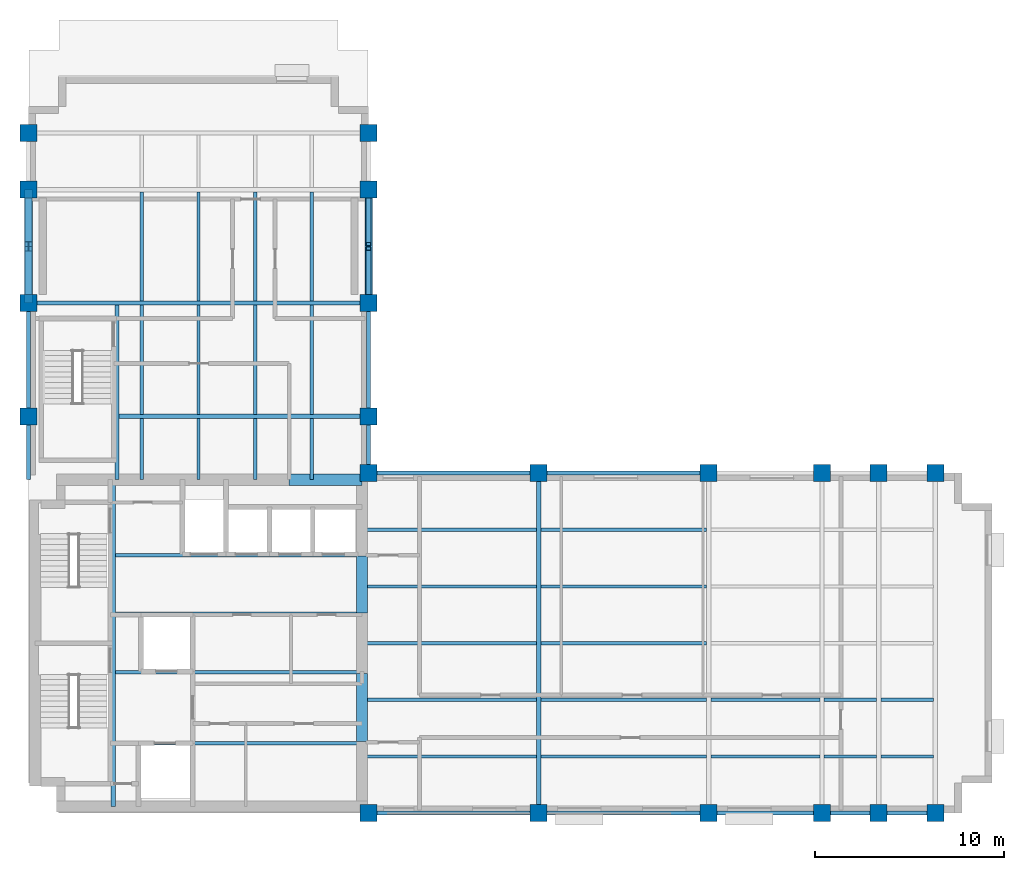
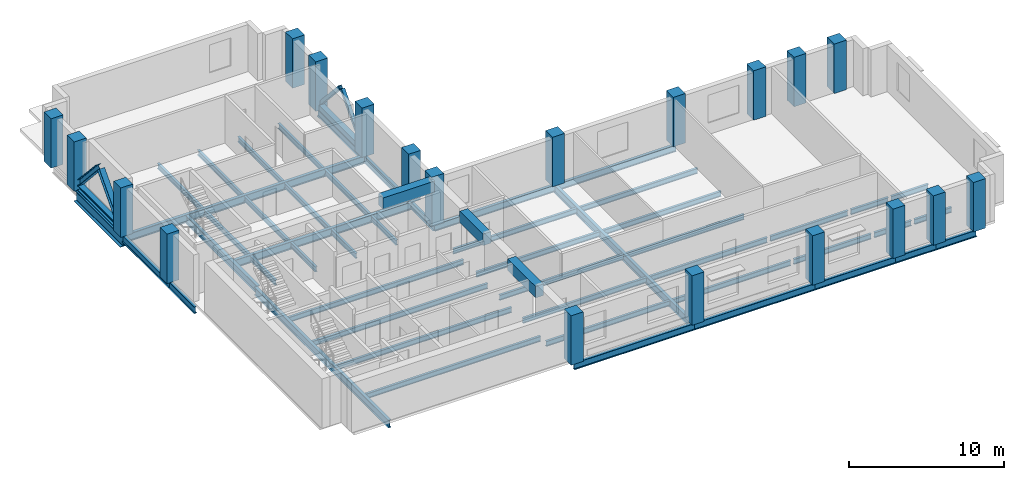
# One storey, part 1 of 6: 53 beams, 20 columns, 6 members.
"""IFC4 building model written with IfcOpenShell, lengths in metres."""

from ifc_helpers import new_model, si_unit, direction, frame, origin, origin_2d, place, context, subcontext, project, spatial, rectangle, hollow_rectangle, i_section, extrude, material, material_profile, profile_set, type_object, element, save


model = new_model("IFC4")

# Units and contexts
model_context = context("Model", 3, precision=1e-05, world=origin(), true_north=direction((0.0, 1.0)))
body_context = subcontext(model_context, "Body", "Model", "MODEL_VIEW")
ifc_project = project(units=[si_unit("LENGTHUNIT", "METRE"), si_unit("AREAUNIT", "SQUARE_METRE"), si_unit("VOLUMEUNIT", "CUBIC_METRE"), si_unit("PLANEANGLEUNIT", "RADIAN"), si_unit("MASSUNIT", "GRAM", prefix="KILO")], contexts=[model_context])

# Site, building, storey
site_placement = place(None, origin())
site = spatial("IfcSite", under=ifc_project, at=site_placement, CompositionType="ELEMENT")
building_placement = place(site_placement, origin())
building = spatial("IfcBuilding", under=site, at=building_placement, Name="Mawjdan Bourse Tower", CompositionType="ELEMENT")
storey_placement = place(building_placement, frame((0.0, 0.0, 199.5)))
storey = spatial("IfcBuildingStorey", under=building, at=storey_placement, Name="L48", CompositionType="ELEMENT", Elevation=199.5)

# Columns
ifc_material_1 = material(Name="Concrete C70/85", Category="concrete")
ifc_material_profile_1 = material_profile(ifc_material_1, rectangle(XDim=0.89990234375, YDim=0.89990234375, at=origin_2d()), Name="RC900X900")
ifc_profile_set_1 = profile_set([ifc_material_profile_1], Name="Concrete C70/85")
column_type = type_object("IfcColumnType", Name="COL-RC900X900", PredefinedType="COLUMN", material=ifc_profile_set_1)
for number, where, z_axis, x_axis, name in (
    (1, (24.0, 3.0, 0.0), (0.0, 0.0, 1.0), (1.0, 0.0, 0.0), "L48 Structural Column C-X240-Y30"),
    (2, (24.0, 21.0, 0.0), (0.0, 0.0, 1.0), (1.0, 0.0, 0.0), "L48 Structural Column C-X240-Y210"),
    (3, (33.0, 3.0, 0.0), (0.0, 0.0, 1.0), (1.0, 0.0, 0.0), "L48 Structural Column C-X330-Y30"),
    (4, (33.0, 21.0, 0.0), (0.0, 0.0, 1.0), (1.0, 0.0, 0.0), "L48 Structural Column C-X330-Y210"),
    (5, (42.0, 3.0, 0.0), (0.0, 0.0, 1.0), (1.0, 0.0, 0.0), "L48 Structural Column C-X420-Y30"),
    (6, (42.0, 21.0, 0.0), (0.0, 0.0, 1.0), (1.0, 0.0, 0.0), "L48 Structural Column C-X420-Y210"),
    (7, (48.0, 3.0, 0.0), (0.0, 0.0, 1.0), (1.0, 0.0, 0.0), "L48 Structural Column C-X480-Y30"),
    (8, (48.0, 21.0, 0.0), (0.0, 0.0, 1.0), (1.0, 0.0, 0.0), "L48 Structural Column C-X480-Y210"),
    (9, (51.0, 3.0, 0.0), (0.0, 0.0, 1.0), (1.0, 0.0, 0.0), "L48 Structural Column C-X510-Y30"),
    (10, (51.0, 21.0, 0.0), (0.0, 0.0, 1.0), (1.0, 0.0, 0.0), "L48 Structural Column C-X510-Y210"),
    (11, (54.0, 3.0, 0.0), (0.0, 0.0, 1.0), (1.0, 0.0, 0.0), "L48 Structural Column C-X540-Y30"),
    (12, (54.0, 21.0, 0.0), (0.0, 0.0, 1.0), (1.0, 0.0, 0.0), "L48 Structural Column C-X540-Y210"),
    (13, (6.0, 24.0, 0.0), (0.0, 0.0, 1.0), (1.0, 0.0, 0.0), "L48 Structural Column C-X60-Y240"),
    (14, (24.0, 24.0, 0.0), (0.0, 0.0, 1.0), (1.0, 0.0, 0.0), "L48 Structural Column C-X240-Y240"),
    (15, (6.0, 30.0, 0.0), (0.0, 0.0, 1.0), (1.0, 0.0, 0.0), "L48 Structural Column C-X60-Y300"),
    (16, (24.0, 30.0, 0.0), (0.0, 0.0, 1.0), (1.0, 0.0, 0.0), "L48 Structural Column C-X240-Y300"),
    (17, (6.0, 36.0, 0.0), (0.0, 0.0, 1.0), (1.0, 0.0, 0.0), "L48 Structural Column C-X60-Y360"),
    (18, (24.0, 36.0, 0.0), (0.0, 0.0, 1.0), (1.0, 0.0, 0.0), "L48 Structural Column C-X240-Y360"),
    (19, (6.0, 39.0, 0.0), (0.0, 0.0, 1.0), (1.0, 0.0, 0.0), "L48 Structural Column C-X60-Y390"),
    (20, (24.0, 39.0, 0.0), (0.0, 0.0, 1.0), (1.0, 0.0, 0.0), "L48 Structural Column C-X240-Y390"),
):
    element("IfcColumn", number, at=place(storey_placement, frame(where, z_axis=z_axis, x_axis=x_axis)), inside=storey, type_object=column_type, Name=name, PredefinedType="COLUMN", context=body_context, shape_type="SweptSolid", body=[
        extrude(rectangle(XDim=0.89990234375, YDim=0.89990234375, at=origin_2d()), origin(), (0.0, 0.0, 1.0), 3.89990234375),
    ])

# Members
ifc_material_2 = material(Name="Structural Steel S355", Category="steel")
ifc_material_profile_2 = material_profile(ifc_material_2, hollow_rectangle(XDim=0.25, YDim=0.25, WallThickness=0.012451171875, at=origin_2d()), Name="HSS250X250X12.5")
ifc_profile_set_2 = profile_set([ifc_material_profile_2], Name="Structural Steel S355")
member_type_1 = type_object("IfcMemberType", Name="BRC-HSS250X250X12.5", PredefinedType="BRACE", material=ifc_profile_set_2)
for number, where, z_axis, x_axis, name in (
    (21, (24.0, 30.1201171875, 0.199951171875), (0.0, 0.670939744298, 0.741511874161), (-1.0, 0.0, 0.0), "L48 North Void Portal Transfer Truss East Diagonal 1"),
    (22, (24.0, 33.1201171875, 3.25), (0.0, 0.670939744298, -0.741511874161), (-1.0, 0.0, 0.0), "L48 North Void Portal Transfer Truss East Diagonal 2"),
):
    element("IfcMember", number, at=place(storey_placement, frame(where, z_axis=z_axis, x_axis=x_axis)), inside=storey, type_object=member_type_1, Name=name, PredefinedType="BRACE", context=body_context, shape_type="SweptSolid", body=[
        extrude(hollow_rectangle(XDim=0.25, YDim=0.25, WallThickness=0.012451171875, at=origin_2d()), origin(), (0.0, 0.0, 1.0), 4.11328125),
    ])
ifc_material_3 = material(Name="Structural Steel S460", Category="steel")
ifc_material_profile_3 = material_profile(ifc_material_3, i_section(OverallWidth=0.39404296875, OverallDepth=0.375, WebThickness=0.017333984375, FlangeThickness=0.027587890625, FilletRadius=0.022216796875, at=origin_2d()), Name="W14X145")
ifc_profile_set_3 = profile_set([ifc_material_profile_3], Name="Structural Steel S460")
member_type_2 = type_object("IfcMemberType", Name="BRC-W14X145", PredefinedType="BRACE", material=ifc_profile_set_3)
for number, where, z_axis, x_axis, name in (
    (23, (6.0, 30.1201171875, 0.199951171875), (0.0, 0.670939744298, 0.741511874161), (-1.0, 0.0, 0.0), "L48 North Void Portal Transfer Truss West Diagonal 1"),
    (24, (6.0, 33.1201171875, 3.25), (0.0, 0.670939744298, -0.741511874161), (-1.0, 0.0, 0.0), "L48 North Void Portal Transfer Truss West Diagonal 2"),
):
    element("IfcMember", number, at=place(storey_placement, frame(where, z_axis=z_axis, x_axis=x_axis)), inside=storey, type_object=member_type_2, Name=name, PredefinedType="BRACE", context=body_context, shape_type="SweptSolid", body=[
        extrude(i_section(OverallWidth=0.39404296875, OverallDepth=0.375, WebThickness=0.017333984375, FlangeThickness=0.027587890625, FilletRadius=0.022216796875, at=origin_2d()), origin(), (0.0, 0.0, 1.0), 4.11328125),
    ])
ifc_material_profile_4 = material_profile(ifc_material_3, hollow_rectangle(XDim=0.39990234375, YDim=0.39990234375, WallThickness=0.01611328125, at=origin_2d()), Name="HSS400X400X16")
ifc_profile_set_4 = profile_set([ifc_material_profile_4], Name="Structural Steel S460")
member_type_3 = type_object("IfcMemberType", Name="CHD-HSS400X400X16", PredefinedType="CHORD", material=ifc_profile_set_4)
member_1_placement = place(storey_placement, frame((24.0, 30.0, 0.199951171875), z_axis=(0.0, 1.0, 0.0), x_axis=(-1.0, 0.0, 0.0)))
element("IfcMember", 25, at=member_1_placement, inside=storey, type_object=member_type_3, Name="L48 North Void Portal Transfer Truss East Bottom Chord", PredefinedType="CHORD", context=body_context, shape_type="SweptSolid", body=[
    extrude(hollow_rectangle(XDim=0.39990234375, YDim=0.39990234375, WallThickness=0.01611328125, at=origin_2d()), origin(), (0.0, 0.0, 1.0), 6.0),
])
ifc_material_profile_5 = material_profile(ifc_material_3, i_section(OverallWidth=0.412109375, OverallDepth=0.43505859375, WebThickness=0.035888671875, FlangeThickness=0.057373046875, FilletRadius=0.0458984375, at=origin_2d()), Name="W14X311")
ifc_profile_set_5 = profile_set([ifc_material_profile_5], Name="Structural Steel S460")
member_type_4 = type_object("IfcMemberType", Name="CHD-W14X311", PredefinedType="CHORD", material=ifc_profile_set_5)
member_2_placement = place(storey_placement, frame((6.0, 30.0, 0.199951171875), z_axis=(0.0, 1.0, 0.0), x_axis=(-1.0, 0.0, 0.0)))
element("IfcMember", 26, at=member_2_placement, inside=storey, type_object=member_type_4, Name="L48 North Void Portal Transfer Truss West Bottom Chord", PredefinedType="CHORD", context=body_context, shape_type="SweptSolid", body=[
    extrude(i_section(OverallWidth=0.412109375, OverallDepth=0.43505859375, WebThickness=0.035888671875, FlangeThickness=0.057373046875, FilletRadius=0.0458984375, at=origin_2d()), origin(), (0.0, 0.0, 1.0), 6.0),
])

# Beams
ifc_material_profile_6 = material_profile(ifc_material_2, i_section(OverallWidth=0.22998046875, OverallDepth=0.616943359375, WebThickness=0.01318359375, FlangeThickness=0.022216796875, FilletRadius=0.017822265625, at=origin_2d()), Name="W24X94")
ifc_profile_set_6 = profile_set([ifc_material_profile_6], Name="Structural Steel S355")
beam_type_1 = type_object("IfcBeamType", Name="GRD-W24X94", PredefinedType="BEAM", material=ifc_profile_set_6)
beam_1_placement = place(storey_placement, frame((10.47998046875, 3.35009765625, -0.508544921875), z_axis=(0.0, 1.0, 0.0), x_axis=(-1.0, 0.0, 0.0)))
element("IfcBeam", 27, at=beam_1_placement, inside=storey, type_object=beam_type_1, Name="L48 Core Stair Trimmer Girder 001", PredefinedType="BEAM", context=body_context, shape_type="SweptSolid", body=[
    extrude(i_section(OverallWidth=0.22998046875, OverallDepth=0.616943359375, WebThickness=0.01318359375, FlangeThickness=0.022216796875, FilletRadius=0.017822265625, at=origin_2d()), origin(), (0.0, 0.0, 1.0), 17.2998046875),
])
beam_2_placement = place(storey_placement, frame((33.0, 3.0, -0.508544921875), z_axis=(0.0, 1.0, 0.0), x_axis=(-1.0, 0.0, 0.0)))
element("IfcBeam", 28, at=beam_2_placement, inside=storey, type_object=beam_type_1, Name="L48 East Wing Clear-Span Girder 002", PredefinedType="BEAM", context=body_context, shape_type="SweptSolid", body=[
    extrude(i_section(OverallWidth=0.22998046875, OverallDepth=0.616943359375, WebThickness=0.01318359375, FlangeThickness=0.022216796875, FilletRadius=0.017822265625, at=origin_2d()), origin(), (0.0, 0.0, 1.0), 18.0),
])
beam_3_placement = place(storey_placement, frame((10.679931640625, 20.64990234375, -0.508544921875), z_axis=(0.0, 1.0, 0.0), x_axis=(-1.0, 0.0, 0.0)))
element("IfcBeam", 29, at=beam_3_placement, inside=storey, type_object=beam_type_1, Name="L48 North Wing Stair Trimmer Girder 046", PredefinedType="BEAM", context=body_context, shape_type="SweptSolid", body=[
    extrude(i_section(OverallWidth=0.22998046875, OverallDepth=0.616943359375, WebThickness=0.01318359375, FlangeThickness=0.022216796875, FilletRadius=0.017822265625, at=origin_2d()), origin(), (0.0, 0.0, 1.0), 9.237060546875),
])
beam_4_placement = place(storey_placement, frame((10.79296875, 24.0, -0.508544921875), z_axis=(1.0, 0.0, 0.0), x_axis=(0.0, 1.0, 0.0)))
element("IfcBeam", 30, at=beam_4_placement, inside=storey, type_object=beam_type_1, Name="L48 North Wing Clear-Span Girder 047", PredefinedType="BEAM", context=body_context, shape_type="SweptSolid", body=[
    extrude(i_section(OverallWidth=0.22998046875, OverallDepth=0.616943359375, WebThickness=0.01318359375, FlangeThickness=0.022216796875, FilletRadius=0.017822265625, at=origin_2d()), origin(), (0.0, 0.0, 1.0), 13.20703125),
])
beam_5_placement = place(storey_placement, frame((6.0, 30.0, -0.508544921875), z_axis=(1.0, 0.0, 0.0), x_axis=(0.0, 1.0, 0.0)))
element("IfcBeam", 31, at=beam_5_placement, inside=storey, type_object=beam_type_1, Name="L48 North Wing Clear-Span Girder 048", PredefinedType="BEAM", context=body_context, shape_type="SweptSolid", body=[
    extrude(i_section(OverallWidth=0.22998046875, OverallDepth=0.616943359375, WebThickness=0.01318359375, FlangeThickness=0.022216796875, FilletRadius=0.017822265625, at=origin_2d()), origin(), (0.0, 0.0, 1.0), 18.0),
])
ifc_material_profile_7 = material_profile(ifc_material_2, i_section(OverallWidth=0.177978515625, OverallDepth=0.406982421875, WebThickness=0.0078125, FlangeThickness=0.0126953125, FilletRadius=0.01025390625, at=origin_2d()), Name="W16X40")
ifc_profile_set_7 = profile_set([ifc_material_profile_7], Name="Structural Steel S355")
beam_type_2 = type_object("IfcBeamType", Name="JST-W16X40", PredefinedType="JOIST", material=ifc_profile_set_7)
beam_6_placement = place(storey_placement, frame((23.64990234375, 6.0, -0.403564453125), z_axis=(1.0, 0.0, 0.0), x_axis=(0.0, 1.0, 0.0)))
element("IfcBeam", 32, at=beam_6_placement, inside=storey, type_object=beam_type_2, Name="L48 East Wing Composite Joist 017", PredefinedType="JOIST", context=body_context, shape_type="SweptSolid", body=[
    extrude(i_section(OverallWidth=0.177978515625, OverallDepth=0.406982421875, WebThickness=0.0078125, FlangeThickness=0.0126953125, FilletRadius=0.01025390625, at=origin_2d()), origin(), (0.0, 0.0, 1.0), 9.237060546875),
])
beam_7_placement = place(storey_placement, frame((33.113037109375, 6.0, -0.403564453125), z_axis=(1.0, 0.0, 0.0), x_axis=(0.0, 1.0, 0.0)))
element("IfcBeam", 33, at=beam_7_placement, inside=storey, type_object=beam_type_2, Name="L48 East Wing Composite Joist 018", PredefinedType="JOIST", context=body_context, shape_type="SweptSolid", body=[
    extrude(i_section(OverallWidth=0.177978515625, OverallDepth=0.406982421875, WebThickness=0.0078125, FlangeThickness=0.0126953125, FilletRadius=0.01025390625, at=origin_2d()), origin(), (0.0, 0.0, 1.0), 8.77392578125),
])
beam_8_placement = place(storey_placement, frame((42.113037109375, 6.0, -0.403564453125), z_axis=(1.0, 0.0, 0.0), x_axis=(0.0, 1.0, 0.0)))
element("IfcBeam", 34, at=beam_8_placement, inside=storey, type_object=beam_type_2, Name="L48 East Wing Composite Joist 019", PredefinedType="JOIST", context=body_context, shape_type="SweptSolid", body=[
    extrude(i_section(OverallWidth=0.177978515625, OverallDepth=0.406982421875, WebThickness=0.0078125, FlangeThickness=0.0126953125, FilletRadius=0.01025390625, at=origin_2d()), origin(), (0.0, 0.0, 1.0), 5.77392578125),
])
for number, where, z_axis, x_axis, name in (
    (35, (48.113037109375, 6.0, -0.403564453125), (1.0, 0.0, 0.0), (0.0, 1.0, 0.0), "L48 East Wing Composite Joist 020"),
    (36, (51.113037109375, 6.0, -0.403564453125), (1.0, 0.0, 0.0), (0.0, 1.0, 0.0), "L48 East Wing Composite Joist 021"),
):
    element("IfcBeam", number, at=place(storey_placement, frame(where, z_axis=z_axis, x_axis=x_axis)), inside=storey, type_object=beam_type_2, Name=name, PredefinedType="JOIST", context=body_context, shape_type="SweptSolid", body=[
        extrude(i_section(OverallWidth=0.177978515625, OverallDepth=0.406982421875, WebThickness=0.0078125, FlangeThickness=0.0126953125, FilletRadius=0.01025390625, at=origin_2d()), origin(), (0.0, 0.0, 1.0), 2.77392578125),
    ])
beam_9_placement = place(storey_placement, frame((23.64990234375, 9.0, -0.403564453125), z_axis=(1.0, 0.0, 0.0), x_axis=(0.0, 1.0, 0.0)))
element("IfcBeam", 37, at=beam_9_placement, inside=storey, type_object=beam_type_2, Name="L48 East Wing Composite Joist 022", PredefinedType="JOIST", context=body_context, shape_type="SweptSolid", body=[
    extrude(i_section(OverallWidth=0.177978515625, OverallDepth=0.406982421875, WebThickness=0.0078125, FlangeThickness=0.0126953125, FilletRadius=0.01025390625, at=origin_2d()), origin(), (0.0, 0.0, 1.0), 9.237060546875),
])
beam_10_placement = place(storey_placement, frame((33.113037109375, 9.0, -0.403564453125), z_axis=(1.0, 0.0, 0.0), x_axis=(0.0, 1.0, 0.0)))
element("IfcBeam", 38, at=beam_10_placement, inside=storey, type_object=beam_type_2, Name="L48 East Wing Composite Joist 023", PredefinedType="JOIST", context=body_context, shape_type="SweptSolid", body=[
    extrude(i_section(OverallWidth=0.177978515625, OverallDepth=0.406982421875, WebThickness=0.0078125, FlangeThickness=0.0126953125, FilletRadius=0.01025390625, at=origin_2d()), origin(), (0.0, 0.0, 1.0), 8.77392578125),
])
beam_11_placement = place(storey_placement, frame((42.113037109375, 9.0, -0.403564453125), z_axis=(1.0, 0.0, 0.0), x_axis=(0.0, 1.0, 0.0)))
element("IfcBeam", 39, at=beam_11_placement, inside=storey, type_object=beam_type_2, Name="L48 East Wing Composite Joist 024", PredefinedType="JOIST", context=body_context, shape_type="SweptSolid", body=[
    extrude(i_section(OverallWidth=0.177978515625, OverallDepth=0.406982421875, WebThickness=0.0078125, FlangeThickness=0.0126953125, FilletRadius=0.01025390625, at=origin_2d()), origin(), (0.0, 0.0, 1.0), 5.77392578125),
])
for number, where, z_axis, x_axis, name in (
    (40, (48.113037109375, 9.0, -0.403564453125), (1.0, 0.0, 0.0), (0.0, 1.0, 0.0), "L48 East Wing Composite Joist 025"),
    (41, (51.113037109375, 9.0, -0.403564453125), (1.0, 0.0, 0.0), (0.0, 1.0, 0.0), "L48 East Wing Composite Joist 026"),
):
    element("IfcBeam", number, at=place(storey_placement, frame(where, z_axis=z_axis, x_axis=x_axis)), inside=storey, type_object=beam_type_2, Name=name, PredefinedType="JOIST", context=body_context, shape_type="SweptSolid", body=[
        extrude(i_section(OverallWidth=0.177978515625, OverallDepth=0.406982421875, WebThickness=0.0078125, FlangeThickness=0.0126953125, FilletRadius=0.01025390625, at=origin_2d()), origin(), (0.0, 0.0, 1.0), 2.77392578125),
    ])
beam_12_placement = place(storey_placement, frame((23.64990234375, 12.0, -0.403564453125), z_axis=(1.0, 0.0, 0.0), x_axis=(0.0, 1.0, 0.0)))
element("IfcBeam", 42, at=beam_12_placement, inside=storey, type_object=beam_type_2, Name="L48 East Wing Composite Joist 027", PredefinedType="JOIST", context=body_context, shape_type="SweptSolid", body=[
    extrude(i_section(OverallWidth=0.177978515625, OverallDepth=0.406982421875, WebThickness=0.0078125, FlangeThickness=0.0126953125, FilletRadius=0.01025390625, at=origin_2d()), origin(), (0.0, 0.0, 1.0), 9.237060546875),
])
beam_13_placement = place(storey_placement, frame((33.113037109375, 12.0, -0.403564453125), z_axis=(1.0, 0.0, 0.0), x_axis=(0.0, 1.0, 0.0)))
element("IfcBeam", 43, at=beam_13_placement, inside=storey, type_object=beam_type_2, Name="L48 East Wing Composite Joist 028", PredefinedType="JOIST", context=body_context, shape_type="SweptSolid", body=[
    extrude(i_section(OverallWidth=0.177978515625, OverallDepth=0.406982421875, WebThickness=0.0078125, FlangeThickness=0.0126953125, FilletRadius=0.01025390625, at=origin_2d()), origin(), (0.0, 0.0, 1.0), 8.77392578125),
])
beam_14_placement = place(storey_placement, frame((23.64990234375, 15.0, -0.403564453125), z_axis=(1.0, 0.0, 0.0), x_axis=(0.0, 1.0, 0.0)))
element("IfcBeam", 44, at=beam_14_placement, inside=storey, type_object=beam_type_2, Name="L48 East Wing Composite Joist 032", PredefinedType="JOIST", context=body_context, shape_type="SweptSolid", body=[
    extrude(i_section(OverallWidth=0.177978515625, OverallDepth=0.406982421875, WebThickness=0.0078125, FlangeThickness=0.0126953125, FilletRadius=0.01025390625, at=origin_2d()), origin(), (0.0, 0.0, 1.0), 9.237060546875),
])
beam_15_placement = place(storey_placement, frame((33.113037109375, 15.0, -0.403564453125), z_axis=(1.0, 0.0, 0.0), x_axis=(0.0, 1.0, 0.0)))
element("IfcBeam", 45, at=beam_15_placement, inside=storey, type_object=beam_type_2, Name="L48 East Wing Composite Joist 033", PredefinedType="JOIST", context=body_context, shape_type="SweptSolid", body=[
    extrude(i_section(OverallWidth=0.177978515625, OverallDepth=0.406982421875, WebThickness=0.0078125, FlangeThickness=0.0126953125, FilletRadius=0.01025390625, at=origin_2d()), origin(), (0.0, 0.0, 1.0), 8.77392578125),
])
beam_16_placement = place(storey_placement, frame((23.64990234375, 18.0, -0.403564453125), z_axis=(1.0, 0.0, 0.0), x_axis=(0.0, 1.0, 0.0)))
element("IfcBeam", 46, at=beam_16_placement, inside=storey, type_object=beam_type_2, Name="L48 East Wing Composite Joist 037", PredefinedType="JOIST", context=body_context, shape_type="SweptSolid", body=[
    extrude(i_section(OverallWidth=0.177978515625, OverallDepth=0.406982421875, WebThickness=0.0078125, FlangeThickness=0.0126953125, FilletRadius=0.01025390625, at=origin_2d()), origin(), (0.0, 0.0, 1.0), 9.237060546875),
])
beam_17_placement = place(storey_placement, frame((33.113037109375, 18.0, -0.403564453125), z_axis=(1.0, 0.0, 0.0), x_axis=(0.0, 1.0, 0.0)))
element("IfcBeam", 47, at=beam_17_placement, inside=storey, type_object=beam_type_2, Name="L48 East Wing Composite Joist 038", PredefinedType="JOIST", context=body_context, shape_type="SweptSolid", body=[
    extrude(i_section(OverallWidth=0.177978515625, OverallDepth=0.406982421875, WebThickness=0.0078125, FlangeThickness=0.0126953125, FilletRadius=0.01025390625, at=origin_2d()), origin(), (0.0, 0.0, 1.0), 8.77392578125),
])
for number, where, z_axis, x_axis, name in (
    (48, (10.593017578125, 6.699951171875, -0.403564453125), (1.0, 0.0, 0.0), (0.0, 1.0, 0.0), "L48 Core Floor Joist 042"),
    (49, (10.593017578125, 10.449951171875, -0.403564453125), (1.0, 0.0, 0.0), (0.0, 1.0, 0.0), "L48 Core Floor Joist 043"),
    (50, (10.593017578125, 13.550048828125, -0.403564453125), (1.0, 0.0, 0.0), (0.0, 1.0, 0.0), "L48 Core Floor Joist 044"),
    (51, (10.593017578125, 16.64990234375, -0.403564453125), (1.0, 0.0, 0.0), (0.0, 1.0, 0.0), "L48 Core Floor Joist 045"),
):
    element("IfcBeam", number, at=place(storey_placement, frame(where, z_axis=z_axis, x_axis=x_axis)), inside=storey, type_object=beam_type_2, Name=name, PredefinedType="JOIST", context=body_context, shape_type="SweptSolid", body=[
        extrude(i_section(OverallWidth=0.177978515625, OverallDepth=0.406982421875, WebThickness=0.0078125, FlangeThickness=0.0126953125, FilletRadius=0.01025390625, at=origin_2d()), origin(), (0.0, 0.0, 1.0), 13.056884765625),
    ])
beam_18_placement = place(storey_placement, frame((12.0, 20.64990234375, -0.403564453125), z_axis=(0.0, 1.0, 0.0), x_axis=(-1.0, 0.0, 0.0)))
element("IfcBeam", 52, at=beam_18_placement, inside=storey, type_object=beam_type_2, Name="L48 North Wing Composite Joist 059", PredefinedType="JOIST", context=body_context, shape_type="SweptSolid", body=[
    extrude(i_section(OverallWidth=0.177978515625, OverallDepth=0.406982421875, WebThickness=0.0078125, FlangeThickness=0.0126953125, FilletRadius=0.01025390625, at=origin_2d()), origin(), (0.0, 0.0, 1.0), 3.237060546875),
])
for number, where, z_axis, x_axis, name in (
    (53, (12.0, 24.113037109375, -0.403564453125), (0.0, 1.0, 0.0), (-1.0, 0.0, 0.0), "L48 North Wing Composite Joist 060"),
    (54, (12.0, 30.113037109375, -0.403564453125), (0.0, 1.0, 0.0), (-1.0, 0.0, 0.0), "L48 North Wing Composite Joist 061"),
):
    element("IfcBeam", number, at=place(storey_placement, frame(where, z_axis=z_axis, x_axis=x_axis)), inside=storey, type_object=beam_type_2, Name=name, PredefinedType="JOIST", context=body_context, shape_type="SweptSolid", body=[
        extrude(i_section(OverallWidth=0.177978515625, OverallDepth=0.406982421875, WebThickness=0.0078125, FlangeThickness=0.0126953125, FilletRadius=0.01025390625, at=origin_2d()), origin(), (0.0, 0.0, 1.0), 5.77392578125),
    ])
beam_19_placement = place(storey_placement, frame((15.0, 20.64990234375, -0.403564453125), z_axis=(0.0, 1.0, 0.0), x_axis=(-1.0, 0.0, 0.0)))
element("IfcBeam", 55, at=beam_19_placement, inside=storey, type_object=beam_type_2, Name="L48 North Wing Composite Joist 063", PredefinedType="JOIST", context=body_context, shape_type="SweptSolid", body=[
    extrude(i_section(OverallWidth=0.177978515625, OverallDepth=0.406982421875, WebThickness=0.0078125, FlangeThickness=0.0126953125, FilletRadius=0.01025390625, at=origin_2d()), origin(), (0.0, 0.0, 1.0), 3.237060546875),
])
for number, where, z_axis, x_axis, name in (
    (56, (15.0, 24.113037109375, -0.403564453125), (0.0, 1.0, 0.0), (-1.0, 0.0, 0.0), "L48 North Wing Composite Joist 064"),
    (57, (15.0, 30.113037109375, -0.403564453125), (0.0, 1.0, 0.0), (-1.0, 0.0, 0.0), "L48 North Wing Composite Joist 065"),
):
    element("IfcBeam", number, at=place(storey_placement, frame(where, z_axis=z_axis, x_axis=x_axis)), inside=storey, type_object=beam_type_2, Name=name, PredefinedType="JOIST", context=body_context, shape_type="SweptSolid", body=[
        extrude(i_section(OverallWidth=0.177978515625, OverallDepth=0.406982421875, WebThickness=0.0078125, FlangeThickness=0.0126953125, FilletRadius=0.01025390625, at=origin_2d()), origin(), (0.0, 0.0, 1.0), 5.77392578125),
    ])
beam_20_placement = place(storey_placement, frame((18.0, 20.64990234375, -0.403564453125), z_axis=(0.0, 1.0, 0.0), x_axis=(-1.0, 0.0, 0.0)))
element("IfcBeam", 58, at=beam_20_placement, inside=storey, type_object=beam_type_2, Name="L48 North Wing Composite Joist 067", PredefinedType="JOIST", context=body_context, shape_type="SweptSolid", body=[
    extrude(i_section(OverallWidth=0.177978515625, OverallDepth=0.406982421875, WebThickness=0.0078125, FlangeThickness=0.0126953125, FilletRadius=0.01025390625, at=origin_2d()), origin(), (0.0, 0.0, 1.0), 3.237060546875),
])
for number, where, z_axis, x_axis, name in (
    (59, (18.0, 24.113037109375, -0.403564453125), (0.0, 1.0, 0.0), (-1.0, 0.0, 0.0), "L48 North Wing Composite Joist 068"),
    (60, (18.0, 30.113037109375, -0.403564453125), (0.0, 1.0, 0.0), (-1.0, 0.0, 0.0), "L48 North Wing Composite Joist 069"),
):
    element("IfcBeam", number, at=place(storey_placement, frame(where, z_axis=z_axis, x_axis=x_axis)), inside=storey, type_object=beam_type_2, Name=name, PredefinedType="JOIST", context=body_context, shape_type="SweptSolid", body=[
        extrude(i_section(OverallWidth=0.177978515625, OverallDepth=0.406982421875, WebThickness=0.0078125, FlangeThickness=0.0126953125, FilletRadius=0.01025390625, at=origin_2d()), origin(), (0.0, 0.0, 1.0), 5.77392578125),
    ])
beam_21_placement = place(storey_placement, frame((21.0, 20.64990234375, -0.403564453125), z_axis=(0.0, 1.0, 0.0), x_axis=(-1.0, 0.0, 0.0)))
element("IfcBeam", 61, at=beam_21_placement, inside=storey, type_object=beam_type_2, Name="L48 North Wing Composite Joist 071", PredefinedType="JOIST", context=body_context, shape_type="SweptSolid", body=[
    extrude(i_section(OverallWidth=0.177978515625, OverallDepth=0.406982421875, WebThickness=0.0078125, FlangeThickness=0.0126953125, FilletRadius=0.01025390625, at=origin_2d()), origin(), (0.0, 0.0, 1.0), 3.237060546875),
])
for number, where, z_axis, x_axis, name in (
    (62, (21.0, 24.113037109375, -0.403564453125), (0.0, 1.0, 0.0), (-1.0, 0.0, 0.0), "L48 North Wing Composite Joist 072"),
    (63, (21.0, 30.113037109375, -0.403564453125), (0.0, 1.0, 0.0), (-1.0, 0.0, 0.0), "L48 North Wing Composite Joist 073"),
):
    element("IfcBeam", number, at=place(storey_placement, frame(where, z_axis=z_axis, x_axis=x_axis)), inside=storey, type_object=beam_type_2, Name=name, PredefinedType="JOIST", context=body_context, shape_type="SweptSolid", body=[
        extrude(i_section(OverallWidth=0.177978515625, OverallDepth=0.406982421875, WebThickness=0.0078125, FlangeThickness=0.0126953125, FilletRadius=0.01025390625, at=origin_2d()), origin(), (0.0, 0.0, 1.0), 5.77392578125),
    ])
ifc_material_profile_8 = material_profile(ifc_material_1, rectangle(XDim=0.60009765625, YDim=0.89990234375, at=origin_2d()), Name="RCB600X900")
ifc_profile_set_8 = profile_set([ifc_material_profile_8], Name="Concrete C70/85")
beam_type_3 = type_object("IfcBeamType", Name="LNT-RCB600X900", PredefinedType="LINTEL", material=ifc_profile_set_8)
beam_22_placement = place(storey_placement, frame((23.64990234375, 6.800048828125, 3.25), z_axis=(0.0, 1.0, 0.0), x_axis=(-1.0, 0.0, 0.0)))
element("IfcBeam", 64, at=beam_22_placement, inside=storey, type_object=beam_type_3, Name="L48 Coupled Core Lintel CB-E1", PredefinedType="LINTEL", context=body_context, shape_type="SweptSolid", body=[
    extrude(rectangle(XDim=0.60009765625, YDim=0.89990234375, at=origin_2d()), origin(), (0.0, 0.0, 1.0), 3.599853515625),
])
beam_23_placement = place(storey_placement, frame((23.64990234375, 13.60009765625, 3.25), z_axis=(0.0, 1.0, 0.0), x_axis=(-1.0, 0.0, 0.0)))
element("IfcBeam", 65, at=beam_23_placement, inside=storey, type_object=beam_type_3, Name="L48 Coupled Core Lintel CB-E2", PredefinedType="LINTEL", context=body_context, shape_type="SweptSolid", body=[
    extrude(rectangle(XDim=0.60009765625, YDim=0.89990234375, at=origin_2d()), origin(), (0.0, 0.0, 1.0), 3.0),
])
beam_24_placement = place(storey_placement, frame((19.800048828125, 20.64990234375, 3.25), z_axis=(1.0, 0.0, 0.0), x_axis=(0.0, 1.0, 0.0)))
element("IfcBeam", 66, at=beam_24_placement, inside=storey, type_object=beam_type_3, Name="L48 Coupled Core Lintel CB-N1", PredefinedType="LINTEL", context=body_context, shape_type="SweptSolid", body=[
    extrude(rectangle(XDim=0.60009765625, YDim=0.89990234375, at=origin_2d()), origin(), (0.0, 0.0, 1.0), 3.849853515625),
])
ifc_material_profile_9 = material_profile(ifc_material_2, i_section(OverallWidth=0.2099609375, OverallDepth=0.537109375, WebThickness=0.010986328125, FlangeThickness=0.017333984375, FilletRadius=0.013916015625, at=origin_2d()), Name="W21X68")
ifc_profile_set_9 = profile_set([ifc_material_profile_9], Name="Structural Steel S355")
beam_type_4 = type_object("IfcBeamType", Name="SPN-W21X68", PredefinedType="SPANDREL", material=ifc_profile_set_9)
for number, where, z_axis, x_axis, name in (
    (67, (24.0, 3.0, -0.468505859375), (1.0, 0.0, 0.0), (0.0, 1.0, 0.0), "L48 Perimeter Masonry-Shelf Spandrel 007"),
    (68, (33.0, 3.0, -0.468505859375), (1.0, 0.0, 0.0), (0.0, 1.0, 0.0), "L48 Perimeter Masonry-Shelf Spandrel 008"),
):
    element("IfcBeam", number, at=place(storey_placement, frame(where, z_axis=z_axis, x_axis=x_axis)), inside=storey, type_object=beam_type_4, Name=name, PredefinedType="SPANDREL", context=body_context, shape_type="SweptSolid", body=[
        extrude(i_section(OverallWidth=0.2099609375, OverallDepth=0.537109375, WebThickness=0.010986328125, FlangeThickness=0.017333984375, FilletRadius=0.013916015625, at=origin_2d()), origin(), (0.0, 0.0, 1.0), 9.0),
    ])
beam_25_placement = place(storey_placement, frame((42.0, 3.0, -0.468505859375), z_axis=(1.0, 0.0, 0.0), x_axis=(0.0, 1.0, 0.0)))
element("IfcBeam", 69, at=beam_25_placement, inside=storey, type_object=beam_type_4, Name="L48 Perimeter Masonry-Shelf Spandrel 009", PredefinedType="SPANDREL", context=body_context, shape_type="SweptSolid", body=[
    extrude(i_section(OverallWidth=0.2099609375, OverallDepth=0.537109375, WebThickness=0.010986328125, FlangeThickness=0.017333984375, FilletRadius=0.013916015625, at=origin_2d()), origin(), (0.0, 0.0, 1.0), 6.0),
])
for number, where, z_axis, x_axis, name in (
    (70, (48.0, 3.0, -0.468505859375), (1.0, 0.0, 0.0), (0.0, 1.0, 0.0), "L48 Perimeter Masonry-Shelf Spandrel 010"),
    (71, (51.0, 3.0, -0.468505859375), (1.0, 0.0, 0.0), (0.0, 1.0, 0.0), "L48 Perimeter Masonry-Shelf Spandrel 011"),
):
    element("IfcBeam", number, at=place(storey_placement, frame(where, z_axis=z_axis, x_axis=x_axis)), inside=storey, type_object=beam_type_4, Name=name, PredefinedType="SPANDREL", context=body_context, shape_type="SweptSolid", body=[
        extrude(i_section(OverallWidth=0.2099609375, OverallDepth=0.537109375, WebThickness=0.010986328125, FlangeThickness=0.017333984375, FilletRadius=0.013916015625, at=origin_2d()), origin(), (0.0, 0.0, 1.0), 3.0),
    ])
for number, where, z_axis, x_axis, name in (
    (72, (24.0, 21.0, -0.468505859375), (1.0, 0.0, 0.0), (0.0, 1.0, 0.0), "L48 Perimeter Masonry-Shelf Spandrel 012"),
    (73, (33.0, 21.0, -0.468505859375), (1.0, 0.0, 0.0), (0.0, 1.0, 0.0), "L48 Perimeter Masonry-Shelf Spandrel 013"),
):
    element("IfcBeam", number, at=place(storey_placement, frame(where, z_axis=z_axis, x_axis=x_axis)), inside=storey, type_object=beam_type_4, Name=name, PredefinedType="SPANDREL", context=body_context, shape_type="SweptSolid", body=[
        extrude(i_section(OverallWidth=0.2099609375, OverallDepth=0.537109375, WebThickness=0.010986328125, FlangeThickness=0.017333984375, FilletRadius=0.013916015625, at=origin_2d()), origin(), (0.0, 0.0, 1.0), 9.0),
    ])
beam_26_placement = place(storey_placement, frame((6.0, 20.64990234375, -0.468505859375), z_axis=(0.0, 1.0, 0.0), x_axis=(-1.0, 0.0, 0.0)))
element("IfcBeam", 74, at=beam_26_placement, inside=storey, type_object=beam_type_4, Name="L48 North Wing Spandrel 051", PredefinedType="SPANDREL", context=body_context, shape_type="SweptSolid", body=[
    extrude(i_section(OverallWidth=0.2099609375, OverallDepth=0.537109375, WebThickness=0.010986328125, FlangeThickness=0.017333984375, FilletRadius=0.013916015625, at=origin_2d()), origin(), (0.0, 0.0, 1.0), 3.35009765625),
])
beam_27_placement = place(storey_placement, frame((6.0, 24.0, -0.468505859375), z_axis=(0.0, 1.0, 0.0), x_axis=(-1.0, 0.0, 0.0)))
element("IfcBeam", 75, at=beam_27_placement, inside=storey, type_object=beam_type_4, Name="L48 North Wing Spandrel 052", PredefinedType="SPANDREL", context=body_context, shape_type="SweptSolid", body=[
    extrude(i_section(OverallWidth=0.2099609375, OverallDepth=0.537109375, WebThickness=0.010986328125, FlangeThickness=0.017333984375, FilletRadius=0.013916015625, at=origin_2d()), origin(), (0.0, 0.0, 1.0), 6.0),
])
beam_28_placement = place(storey_placement, frame((24.0, 21.0, -0.468505859375), z_axis=(0.0, 1.0, 0.0), x_axis=(-1.0, 0.0, 0.0)))
element("IfcBeam", 76, at=beam_28_placement, inside=storey, type_object=beam_type_4, Name="L48 North Wing Spandrel 055", PredefinedType="SPANDREL", context=body_context, shape_type="SweptSolid", body=[
    extrude(i_section(OverallWidth=0.2099609375, OverallDepth=0.537109375, WebThickness=0.010986328125, FlangeThickness=0.017333984375, FilletRadius=0.013916015625, at=origin_2d()), origin(), (0.0, 0.0, 1.0), 3.0),
])
for number, where, z_axis, x_axis, name in (
    (77, (24.0, 24.0, -0.468505859375), (0.0, 1.0, 0.0), (-1.0, 0.0, 0.0), "L48 North Wing Spandrel 056"),
    (78, (24.0, 30.0, -0.468505859375), (0.0, 1.0, 0.0), (-1.0, 0.0, 0.0), "L48 North Wing Spandrel 057"),
):
    element("IfcBeam", number, at=place(storey_placement, frame(where, z_axis=z_axis, x_axis=x_axis)), inside=storey, type_object=beam_type_4, Name=name, PredefinedType="SPANDREL", context=body_context, shape_type="SweptSolid", body=[
        extrude(i_section(OverallWidth=0.2099609375, OverallDepth=0.537109375, WebThickness=0.010986328125, FlangeThickness=0.017333984375, FilletRadius=0.013916015625, at=origin_2d()), origin(), (0.0, 0.0, 1.0), 6.0),
    ])
ifc_material_profile_10 = material_profile(ifc_material_3, i_section(OverallWidth=0.423095703125, OverallDepth=0.93994140625, WebThickness=0.02392578125, FlangeThickness=0.042724609375, FilletRadius=0.0341796875, at=origin_2d()), Name="W36X302")
ifc_profile_set_10 = profile_set([ifc_material_profile_10], Name="Structural Steel S460")
beam_type_5 = type_object("IfcBeamType", Name="XFR-GRD-W36X302", PredefinedType="BEAM", material=ifc_profile_set_10)
beam_29_placement = place(storey_placement, frame((6.0, 30.0, -0.669921875), z_axis=(0.0, 1.0, 0.0), x_axis=(-1.0, 0.0, 0.0)))
element("IfcBeam", 79, at=beam_29_placement, inside=storey, type_object=beam_type_5, Name="L48 L48 Portal Transfer Girder 053", PredefinedType="BEAM", context=body_context, shape_type="SweptSolid", body=[
    extrude(i_section(OverallWidth=0.423095703125, OverallDepth=0.93994140625, WebThickness=0.02392578125, FlangeThickness=0.042724609375, FilletRadius=0.0341796875, at=origin_2d()), origin(), (0.0, 0.0, 1.0), 6.0),
])

save(model, "model.ifc")
